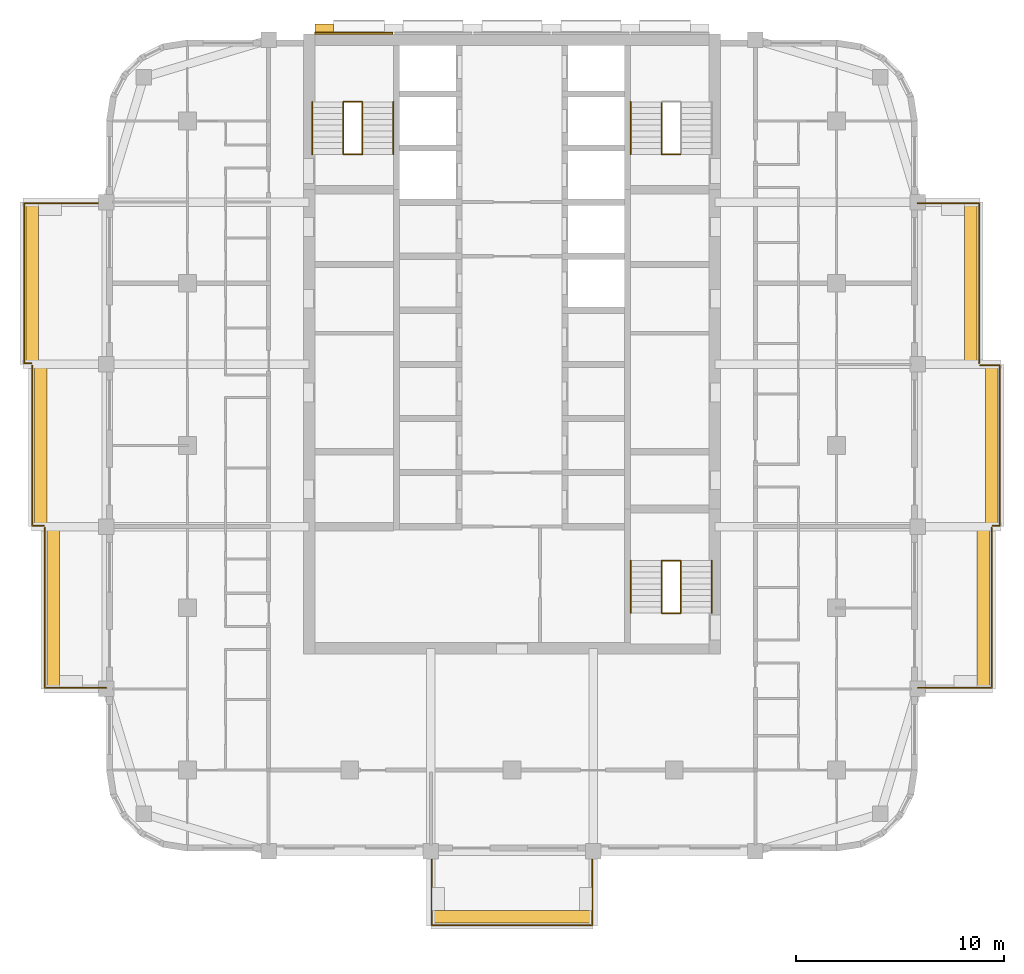
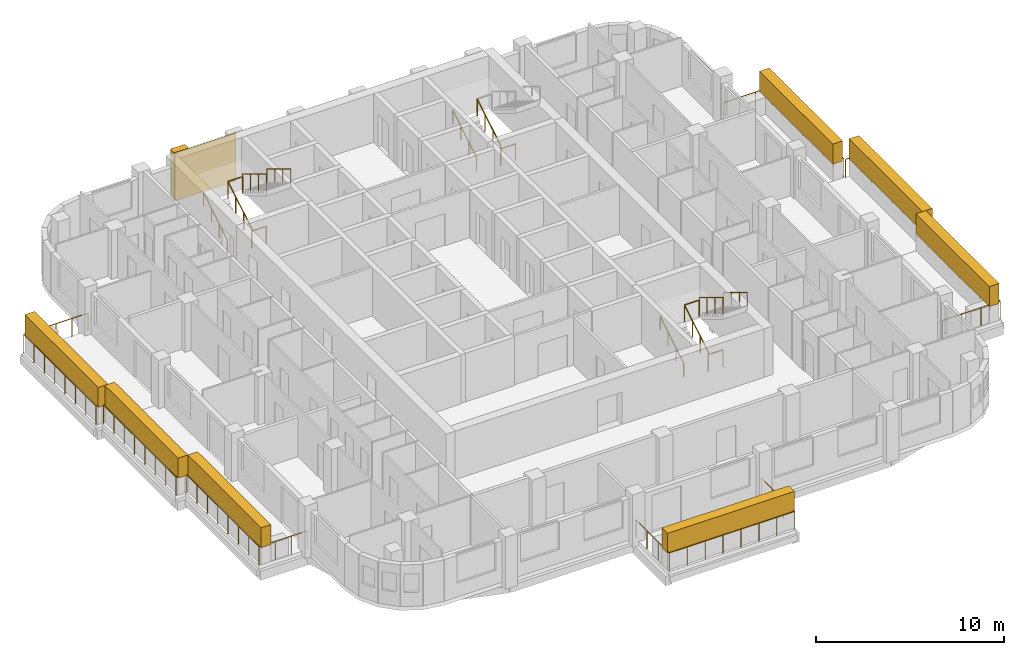
# One storey, part 12 of 13: 22 railings, 9 coverings, 3 elements without a shape of their own.
"""IFC4 building model written with IfcOpenShell, lengths in metres."""

from ifc_helpers import new_model, si_unit, direction, frame, origin, origin_2d, place, context, subcontext, project, spatial, rectangle, circle, extrude, material, layer, layer_set, type_object, element, aggregate, save


model = new_model("IFC4")

# Units and contexts
model_context = context("Model", 3, precision=1e-05, world=origin(), true_north=direction((0.0, 1.0)))
body_context = subcontext(model_context, "Body", "Model", "MODEL_VIEW")
ifc_project = project(units=[si_unit("LENGTHUNIT", "METRE"), si_unit("AREAUNIT", "SQUARE_METRE"), si_unit("VOLUMEUNIT", "CUBIC_METRE"), si_unit("PLANEANGLEUNIT", "RADIAN"), si_unit("MASSUNIT", "GRAM", prefix="KILO")], contexts=[model_context])

# Site, building, storey
site_placement = place(None, origin())
site = spatial("IfcSite", under=ifc_project, at=site_placement, CompositionType="ELEMENT")
building_placement = place(site_placement, origin())
building = spatial("IfcBuilding", under=site, at=building_placement, Name="Ludao Terraces", CompositionType="ELEMENT")
storey_placement = place(building_placement, frame((0.0, 0.0, 162.199951171875)))
storey = spatial("IfcBuildingStorey", under=building, at=storey_placement, Name="L44", CompositionType="ELEMENT", Elevation=162.199951171875)

# Railings
ifc_material_1 = material(Name="Stainless steel 304", Category="steel")
railing_type_1 = type_object("IfcRailingType", Name="ENV Balcony glass guard 1200", PredefinedType="GUARDRAIL", material=ifc_material_1)
railing_1_placement = place(storey_placement, frame((81.14990234375, 45.5, 0.0)))
element("IfcRailing", 1, at=railing_1_placement, inside=storey, type_object=railing_type_1, Name="Balcony guard L44 S1", PredefinedType="GUARDRAIL", context=body_context, shape_type="SweptSolid", body=[
    extrude(circle(Radius=0.02392578125, at=origin_2d()), frame((0.0, 0.0, 1.17578125), z_axis=(0.0, -1.0, 0.0), x_axis=(1.0, 0.0, 0.0)), (0.0, 0.0, 1.0), 3.550048828125),
    extrude(circle(Radius=0.02392578125, at=origin_2d()), frame((0.0, -3.550048828125, 1.17578125), z_axis=(1.0, 0.0, 0.0), x_axis=(0.0, 1.0, 0.0)), (0.0, 0.0, 1.0), 7.7001953125),
    extrude(circle(Radius=0.02392578125, at=origin_2d()), frame((7.7001953125, -3.550048828125, 1.17578125), z_axis=(0.0, 1.0, 0.0), x_axis=(-1.0, 0.0, 0.0)), (0.0, 0.0, 1.0), 3.550048828125),
    extrude(circle(Radius=0.02099609375, at=origin_2d()), origin(), (0.0, 0.0, 1.0), 1.15185546875),
    extrude(circle(Radius=0.02099609375, at=origin_2d()), frame((0.0, -1.183349609375, 0.0)), (0.0, 0.0, 1.0), 1.15185546875),
    extrude(circle(Radius=0.02099609375, at=origin_2d()), frame((0.0, -2.36669921875, 0.0)), (0.0, 0.0, 1.0), 1.15185546875),
    extrude(circle(Radius=0.02099609375, at=origin_2d()), frame((0.0, -3.550048828125, 0.0)), (0.0, 0.0, 1.0), 1.15185546875),
    extrude(circle(Radius=0.02099609375, at=origin_2d()), frame((1.10009765625, -3.550048828125, 0.0)), (0.0, 0.0, 1.0), 1.15185546875),
    extrude(circle(Radius=0.02099609375, at=origin_2d()), frame((2.199951171875, -3.550048828125, 0.0)), (0.0, 0.0, 1.0), 1.15185546875),
    extrude(circle(Radius=0.02099609375, at=origin_2d()), frame((3.300048828125, -3.550048828125, 0.0)), (0.0, 0.0, 1.0), 1.15185546875),
    extrude(circle(Radius=0.02099609375, at=origin_2d()), frame((4.400146484375, -3.550048828125, 0.0)), (0.0, 0.0, 1.0), 1.15185546875),
    extrude(circle(Radius=0.02099609375, at=origin_2d()), frame((5.500244140625, -3.550048828125, 0.0)), (0.0, 0.0, 1.0), 1.15185546875),
    extrude(circle(Radius=0.02099609375, at=origin_2d()), frame((6.60009765625, -3.550048828125, 0.0)), (0.0, 0.0, 1.0), 1.15185546875),
    extrude(circle(Radius=0.02099609375, at=origin_2d()), frame((7.7001953125, -3.550048828125, 0.0)), (0.0, 0.0, 1.0), 1.15185546875),
    extrude(circle(Radius=0.02099609375, at=origin_2d()), frame((7.7001953125, -2.36669921875, 0.0)), (0.0, 0.0, 1.0), 1.15185546875),
    extrude(circle(Radius=0.02099609375, at=origin_2d()), frame((7.7001953125, -1.183349609375, 0.0)), (0.0, 0.0, 1.0), 1.15185546875),
    extrude(circle(Radius=0.02099609375, at=origin_2d()), frame((7.7001953125, 0.0, 0.0)), (0.0, 0.0, 1.0), 1.15185546875),
])
railing_2_placement = place(storey_placement, frame((104.5, 53.35009765625, 0.0)))
element("IfcRailing", 2, at=railing_2_placement, inside=storey, type_object=railing_type_1, Name="Balcony guard L44 E1", PredefinedType="GUARDRAIL", context=body_context, shape_type="SweptSolid", body=[
    extrude(circle(Radius=0.02392578125, at=origin_2d()), frame((0.0, 0.0, 1.17578125), z_axis=(1.0, 0.0, 0.0), x_axis=(0.0, 1.0, 0.0)), (0.0, 0.0, 1.0), 3.550048828125),
    extrude(circle(Radius=0.02392578125, at=origin_2d()), frame((3.550048828125, 0.0, 1.17578125), z_axis=(0.0, 1.0, 0.0), x_axis=(-1.0, 0.0, 0.0)), (0.0, 0.0, 1.0), 7.699951171875),
    extrude(circle(Radius=0.02099609375, at=origin_2d()), origin(), (0.0, 0.0, 1.0), 1.15185546875),
    extrude(circle(Radius=0.02099609375, at=origin_2d()), frame((1.183349609375, 0.0, 0.0)), (0.0, 0.0, 1.0), 1.15185546875),
    extrude(circle(Radius=0.02099609375, at=origin_2d()), frame((2.36669921875, 0.0, 0.0)), (0.0, 0.0, 1.0), 1.15185546875),
    extrude(circle(Radius=0.02099609375, at=origin_2d()), frame((3.550048828125, 0.0, 0.0)), (0.0, 0.0, 1.0), 1.15185546875),
    extrude(circle(Radius=0.02099609375, at=origin_2d()), frame((3.550048828125, 1.10009765625, 0.0)), (0.0, 0.0, 1.0), 1.15185546875),
    extrude(circle(Radius=0.02099609375, at=origin_2d()), frame((3.550048828125, 2.199951171875, 0.0)), (0.0, 0.0, 1.0), 1.15185546875),
    extrude(circle(Radius=0.02099609375, at=origin_2d()), frame((3.550048828125, 3.300048828125, 0.0)), (0.0, 0.0, 1.0), 1.15185546875),
    extrude(circle(Radius=0.02099609375, at=origin_2d()), frame((3.550048828125, 4.39990234375, 0.0)), (0.0, 0.0, 1.0), 1.15185546875),
    extrude(circle(Radius=0.02099609375, at=origin_2d()), frame((3.550048828125, 5.5, 0.0)), (0.0, 0.0, 1.0), 1.15185546875),
    extrude(circle(Radius=0.02099609375, at=origin_2d()), frame((3.550048828125, 6.599853515625, 0.0)), (0.0, 0.0, 1.0), 1.15185546875),
    extrude(circle(Radius=0.02099609375, at=origin_2d()), frame((3.550048828125, 7.699951171875, 0.0)), (0.0, 0.0, 1.0), 1.15185546875),
])
railing_3_placement = place(storey_placement, frame((108.10009765625, 61.14990234375, 0.0)))
element("IfcRailing", 3, at=railing_3_placement, inside=storey, type_object=railing_type_1, Name="Balcony guard L44 E2", PredefinedType="GUARDRAIL", context=body_context, shape_type="SweptSolid", body=[
    extrude(circle(Radius=0.02392578125, at=origin_2d()), frame((0.0, 0.0, 1.17578125), z_axis=(1.0, 0.0, 0.0), x_axis=(0.0, 1.0, 0.0)), (0.0, 0.0, 1.0), 0.349853515625),
    extrude(circle(Radius=0.02392578125, at=origin_2d()), frame((0.349853515625, 0.0, 1.17578125), z_axis=(0.0, 1.0, 0.0), x_axis=(-1.0, 0.0, 0.0)), (0.0, 0.0, 1.0), 7.7001953125),
    extrude(circle(Radius=0.02392578125, at=origin_2d()), frame((0.349853515625, 7.7001953125, 1.17578125), z_axis=(-1.0, 0.0, 0.0), x_axis=(0.0, -1.0, 0.0)), (0.0, 0.0, 1.0), 0.949951171875),
    extrude(circle(Radius=0.02099609375, at=origin_2d()), origin(), (0.0, 0.0, 1.0), 1.15185546875),
    extrude(circle(Radius=0.02099609375, at=origin_2d()), frame((0.349853515625, 0.0, 0.0)), (0.0, 0.0, 1.0), 1.15185546875),
    extrude(circle(Radius=0.02099609375, at=origin_2d()), frame((0.349853515625, 1.10009765625, 0.0)), (0.0, 0.0, 1.0), 1.15185546875),
    extrude(circle(Radius=0.02099609375, at=origin_2d()), frame((0.349853515625, 2.199951171875, 0.0)), (0.0, 0.0, 1.0), 1.15185546875),
    extrude(circle(Radius=0.02099609375, at=origin_2d()), frame((0.349853515625, 3.300048828125, 0.0)), (0.0, 0.0, 1.0), 1.15185546875),
    extrude(circle(Radius=0.02099609375, at=origin_2d()), frame((0.349853515625, 4.400146484375, 0.0)), (0.0, 0.0, 1.0), 1.15185546875),
    extrude(circle(Radius=0.02099609375, at=origin_2d()), frame((0.349853515625, 5.500244140625, 0.0)), (0.0, 0.0, 1.0), 1.15185546875),
    extrude(circle(Radius=0.02099609375, at=origin_2d()), frame((0.349853515625, 6.60009765625, 0.0)), (0.0, 0.0, 1.0), 1.15185546875),
    extrude(circle(Radius=0.02099609375, at=origin_2d()), frame((0.349853515625, 7.7001953125, 0.0)), (0.0, 0.0, 1.0), 1.15185546875),
    extrude(circle(Radius=0.02099609375, at=origin_2d()), frame((-0.60009765625, 7.7001953125, 0.0)), (0.0, 0.0, 1.0), 1.15185546875),
])
railing_4_placement = place(storey_placement, frame((107.449951171875, 68.949951171875, 0.0)))
element("IfcRailing", 4, at=railing_4_placement, inside=storey, type_object=railing_type_1, Name="Balcony guard L44 E3", PredefinedType="GUARDRAIL", context=body_context, shape_type="SweptSolid", body=[
    extrude(circle(Radius=0.02392578125, at=origin_2d()), frame((0.0, 0.0, 1.17578125), z_axis=(0.0, 1.0, 0.0), x_axis=(-1.0, 0.0, 0.0)), (0.0, 0.0, 1.0), 7.699951171875),
    extrude(circle(Radius=0.02392578125, at=origin_2d()), frame((0.0, 7.699951171875, 1.17578125), z_axis=(-1.0, 0.0, 0.0), x_axis=(0.0, -1.0, 0.0)), (0.0, 0.0, 1.0), 2.949951171875),
    extrude(circle(Radius=0.02099609375, at=origin_2d()), origin(), (0.0, 0.0, 1.0), 1.15185546875),
    extrude(circle(Radius=0.02099609375, at=origin_2d()), frame((0.0, 1.10009765625, 0.0)), (0.0, 0.0, 1.0), 1.15185546875),
    extrude(circle(Radius=0.02099609375, at=origin_2d()), frame((0.0, 2.199951171875, 0.0)), (0.0, 0.0, 1.0), 1.15185546875),
    extrude(circle(Radius=0.02099609375, at=origin_2d()), frame((0.0, 3.300048828125, 0.0)), (0.0, 0.0, 1.0), 1.15185546875),
    extrude(circle(Radius=0.02099609375, at=origin_2d()), frame((0.0, 4.39990234375, 0.0)), (0.0, 0.0, 1.0), 1.15185546875),
    extrude(circle(Radius=0.02099609375, at=origin_2d()), frame((0.0, 5.5, 0.0)), (0.0, 0.0, 1.0), 1.15185546875),
    extrude(circle(Radius=0.02099609375, at=origin_2d()), frame((0.0, 6.599853515625, 0.0)), (0.0, 0.0, 1.0), 1.15185546875),
    extrude(circle(Radius=0.02099609375, at=origin_2d()), frame((0.0, 7.699951171875, 0.0)), (0.0, 0.0, 1.0), 1.15185546875),
    extrude(circle(Radius=0.02099609375, at=origin_2d()), frame((-0.9833984375, 7.699951171875, 0.0)), (0.0, 0.0, 1.0), 1.15185546875),
    extrude(circle(Radius=0.02099609375, at=origin_2d()), frame((-1.966552734375, 7.699951171875, 0.0)), (0.0, 0.0, 1.0), 1.15185546875),
    extrude(circle(Radius=0.02099609375, at=origin_2d()), frame((-2.949951171875, 7.699951171875, 0.0)), (0.0, 0.0, 1.0), 1.15185546875),
])
railing_5_placement = place(storey_placement, frame((65.5, 53.35009765625, 0.0)))
element("IfcRailing", 5, at=railing_5_placement, inside=storey, type_object=railing_type_1, Name="Balcony guard L44 W1", PredefinedType="GUARDRAIL", context=body_context, shape_type="SweptSolid", body=[
    extrude(circle(Radius=0.02392578125, at=origin_2d()), frame((0.0, 0.0, 1.17578125), z_axis=(-1.0, 0.0, 0.0), x_axis=(0.0, -1.0, 0.0)), (0.0, 0.0, 1.0), 2.949951171875),
    extrude(circle(Radius=0.02392578125, at=origin_2d()), frame((-2.949951171875, 0.0, 1.17578125), z_axis=(0.0, 1.0, 0.0), x_axis=(-1.0, 0.0, 0.0)), (0.0, 0.0, 1.0), 7.699951171875),
    extrude(circle(Radius=0.02099609375, at=origin_2d()), origin(), (0.0, 0.0, 1.0), 1.15185546875),
    extrude(circle(Radius=0.02099609375, at=origin_2d()), frame((-0.9833984375, 0.0, 0.0)), (0.0, 0.0, 1.0), 1.15185546875),
    extrude(circle(Radius=0.02099609375, at=origin_2d()), frame((-1.966552734375, 0.0, 0.0)), (0.0, 0.0, 1.0), 1.15185546875),
    extrude(circle(Radius=0.02099609375, at=origin_2d()), frame((-2.949951171875, 0.0, 0.0)), (0.0, 0.0, 1.0), 1.15185546875),
    extrude(circle(Radius=0.02099609375, at=origin_2d()), frame((-2.949951171875, 1.10009765625, 0.0)), (0.0, 0.0, 1.0), 1.15185546875),
    extrude(circle(Radius=0.02099609375, at=origin_2d()), frame((-2.949951171875, 2.199951171875, 0.0)), (0.0, 0.0, 1.0), 1.15185546875),
    extrude(circle(Radius=0.02099609375, at=origin_2d()), frame((-2.949951171875, 3.300048828125, 0.0)), (0.0, 0.0, 1.0), 1.15185546875),
    extrude(circle(Radius=0.02099609375, at=origin_2d()), frame((-2.949951171875, 4.39990234375, 0.0)), (0.0, 0.0, 1.0), 1.15185546875),
    extrude(circle(Radius=0.02099609375, at=origin_2d()), frame((-2.949951171875, 5.5, 0.0)), (0.0, 0.0, 1.0), 1.15185546875),
    extrude(circle(Radius=0.02099609375, at=origin_2d()), frame((-2.949951171875, 6.599853515625, 0.0)), (0.0, 0.0, 1.0), 1.15185546875),
    extrude(circle(Radius=0.02099609375, at=origin_2d()), frame((-2.949951171875, 7.699951171875, 0.0)), (0.0, 0.0, 1.0), 1.15185546875),
])
railing_6_placement = place(storey_placement, frame((62.5, 61.14990234375, 0.0)))
element("IfcRailing", 6, at=railing_6_placement, inside=storey, type_object=railing_type_1, Name="Balcony guard L44 W2", PredefinedType="GUARDRAIL", context=body_context, shape_type="SweptSolid", body=[
    extrude(circle(Radius=0.02392578125, at=origin_2d()), frame((0.0, 0.0, 1.17578125), z_axis=(-1.0, 0.0, 0.0), x_axis=(0.0, -1.0, 0.0)), (0.0, 0.0, 1.0), 0.550048828125),
    extrude(circle(Radius=0.02392578125, at=origin_2d()), frame((-0.550048828125, 0.0, 1.17578125), z_axis=(0.0, 1.0, 0.0), x_axis=(-1.0, 0.0, 0.0)), (0.0, 0.0, 1.0), 7.7001953125),
    extrude(circle(Radius=0.02099609375, at=origin_2d()), origin(), (0.0, 0.0, 1.0), 1.15185546875),
    extrude(circle(Radius=0.02099609375, at=origin_2d()), frame((-0.550048828125, 0.0, 0.0)), (0.0, 0.0, 1.0), 1.15185546875),
    extrude(circle(Radius=0.02099609375, at=origin_2d()), frame((-0.550048828125, 1.10009765625, 0.0)), (0.0, 0.0, 1.0), 1.15185546875),
    extrude(circle(Radius=0.02099609375, at=origin_2d()), frame((-0.550048828125, 2.199951171875, 0.0)), (0.0, 0.0, 1.0), 1.15185546875),
    extrude(circle(Radius=0.02099609375, at=origin_2d()), frame((-0.550048828125, 3.300048828125, 0.0)), (0.0, 0.0, 1.0), 1.15185546875),
    extrude(circle(Radius=0.02099609375, at=origin_2d()), frame((-0.550048828125, 4.400146484375, 0.0)), (0.0, 0.0, 1.0), 1.15185546875),
    extrude(circle(Radius=0.02099609375, at=origin_2d()), frame((-0.550048828125, 5.500244140625, 0.0)), (0.0, 0.0, 1.0), 1.15185546875),
    extrude(circle(Radius=0.02099609375, at=origin_2d()), frame((-0.550048828125, 6.60009765625, 0.0)), (0.0, 0.0, 1.0), 1.15185546875),
    extrude(circle(Radius=0.02099609375, at=origin_2d()), frame((-0.550048828125, 7.7001953125, 0.0)), (0.0, 0.0, 1.0), 1.15185546875),
])
railing_7_placement = place(storey_placement, frame((61.89990234375, 68.949951171875, 0.0)))
element("IfcRailing", 7, at=railing_7_placement, inside=storey, type_object=railing_type_1, Name="Balcony guard L44 W3", PredefinedType="GUARDRAIL", context=body_context, shape_type="SweptSolid", body=[
    extrude(circle(Radius=0.02392578125, at=origin_2d()), frame((0.0, 0.0, 1.17578125), z_axis=(-1.0, 0.0, 0.0), x_axis=(0.0, -1.0, 0.0)), (0.0, 0.0, 1.0), 0.349853515625),
    extrude(circle(Radius=0.02392578125, at=origin_2d()), frame((-0.349853515625, 0.0, 1.17578125), z_axis=(0.0, 1.0, 0.0), x_axis=(-1.0, 0.0, 0.0)), (0.0, 0.0, 1.0), 7.699951171875),
    extrude(circle(Radius=0.02392578125, at=origin_2d()), frame((-0.349853515625, 7.699951171875, 1.17578125), z_axis=(1.0, 0.0, 0.0), x_axis=(0.0, 1.0, 0.0)), (0.0, 0.0, 1.0), 3.949951171875),
    extrude(circle(Radius=0.02099609375, at=origin_2d()), origin(), (0.0, 0.0, 1.0), 1.15185546875),
    extrude(circle(Radius=0.02099609375, at=origin_2d()), frame((-0.349853515625, 0.0, 0.0)), (0.0, 0.0, 1.0), 1.15185546875),
    extrude(circle(Radius=0.02099609375, at=origin_2d()), frame((-0.349853515625, 1.10009765625, 0.0)), (0.0, 0.0, 1.0), 1.15185546875),
    extrude(circle(Radius=0.02099609375, at=origin_2d()), frame((-0.349853515625, 2.199951171875, 0.0)), (0.0, 0.0, 1.0), 1.15185546875),
    extrude(circle(Radius=0.02099609375, at=origin_2d()), frame((-0.349853515625, 3.300048828125, 0.0)), (0.0, 0.0, 1.0), 1.15185546875),
    extrude(circle(Radius=0.02099609375, at=origin_2d()), frame((-0.349853515625, 4.39990234375, 0.0)), (0.0, 0.0, 1.0), 1.15185546875),
    extrude(circle(Radius=0.02099609375, at=origin_2d()), frame((-0.349853515625, 5.5, 0.0)), (0.0, 0.0, 1.0), 1.15185546875),
    extrude(circle(Radius=0.02099609375, at=origin_2d()), frame((-0.349853515625, 6.599853515625, 0.0)), (0.0, 0.0, 1.0), 1.15185546875),
    extrude(circle(Radius=0.02099609375, at=origin_2d()), frame((-0.349853515625, 7.699951171875, 0.0)), (0.0, 0.0, 1.0), 1.15185546875),
    extrude(circle(Radius=0.02099609375, at=origin_2d()), frame((0.6376953125, 7.699951171875, 0.0)), (0.0, 0.0, 1.0), 1.15185546875),
    extrude(circle(Radius=0.02099609375, at=origin_2d()), frame((1.625, 7.699951171875, 0.0)), (0.0, 0.0, 1.0), 1.15185546875),
    extrude(circle(Radius=0.02099609375, at=origin_2d()), frame((2.612548828125, 7.699951171875, 0.0)), (0.0, 0.0, 1.0), 1.15185546875),
    extrude(circle(Radius=0.02099609375, at=origin_2d()), frame((3.60009765625, 7.699951171875, 0.0)), (0.0, 0.0, 1.0), 1.15185546875),
])

# Coverings
ifc_material_2 = material(Name="Granite cladding", Category="masonry")
ifc_layer_1 = layer(ifc_material_2, 0.39990234375)
ifc_layer_set_1 = layer_set([ifc_layer_1], Name="ENV Core pilaster stone 400")
covering_type_1 = type_object("IfcCoveringType", Name="ENV Core pilaster stone 400", PredefinedType="CLADDING", material=ifc_layer_set_1)
covering_1_placement = place(storey_placement, frame((75.97509765625, 85.054931640625, 0.0), z_axis=(0.0, 0.0, 1.0), x_axis=(1.0, 0.0, 0.0)))
element("IfcCovering", 8, at=covering_1_placement, inside=storey, type_object=covering_type_1, Name="CC-L44-PIL1", PredefinedType="CLADDING", context=body_context, shape_type="SweptSolid", body=[
    extrude(rectangle(XDim=0.89990234375, YDim=0.39990234375, at=origin_2d()), origin(), (0.0, 0.0, 1.0), 3.10009765625),
])
ifc_layer_2 = layer(ifc_material_2, 0.080078125)
ifc_layer_set_2 = layer_set([ifc_layer_2], Name="ENV Core stone cladding panel 80")
covering_type_2 = type_object("IfcCoveringType", Name="ENV Core stone cladding panel 80", PredefinedType="CLADDING", material=ifc_layer_set_2)
covering_2_placement = place(storey_placement, frame((77.39501953125, 84.81494140625, 0.0), z_axis=(0.0, 0.0, 1.0), x_axis=(1.0, 0.0, 0.0)))
element("IfcCovering", 9, at=covering_2_placement, inside=storey, type_object=covering_type_2, Name="CC-L44-CORE1", PredefinedType="CLADDING", context=body_context, shape_type="SweptSolid", body=[
    extrude(rectangle(XDim=3.739990234375, YDim=0.080078125, at=origin_2d()), origin(), (0.0, 0.0, 1.0), 3.10009765625),
])
ifc_material_3 = material(Name="Planting")
ifc_layer_3 = layer(ifc_material_3, 0.60009765625)
ifc_layer_set_3 = layer_set([ifc_layer_3], Name="ENV Planting hedge 600x1300")
covering_type_3 = type_object("IfcCoveringType", Name="ENV Planting hedge 600x1300", PredefinedType="USERDEFINED", material=ifc_layer_set_3)
covering_3_placement = place(storey_placement, frame((85.0, 42.35009765625, 1.10009765625), z_axis=(0.0, 0.0, 1.0), x_axis=(1.0, 0.0, 0.0)))
element("IfcCovering", 10, at=covering_3_placement, inside=storey, type_object=covering_type_3, Name="Planting hedge L44-S1", ObjectType="PLANTING", PredefinedType="USERDEFINED", context=body_context, shape_type="SweptSolid", body=[
    extrude(rectangle(XDim=7.800048828125, YDim=0.60009765625, at=origin_2d()), origin(), (0.0, 0.0, 1.0), 1.300048828125),
])
for number, where, z_axis, x_axis, name in (
    (11, (107.64990234375, 57.199951171875, 1.10009765625), (0.0, 0.0, 1.0), (1.0, 0.0, 0.0), "Planting hedge L44-E1"),
    (12, (108.050048828125, 65.0, 1.10009765625), (0.0, 0.0, 1.0), (1.0, 0.0, 0.0), "Planting hedge L44-E2"),
    (13, (107.050048828125, 72.800048828125, 1.10009765625), (0.0, 0.0, 1.0), (1.0, 0.0, 0.0), "Planting hedge L44-E3"),
    (14, (62.949951171875, 57.199951171875, 1.10009765625), (0.0, 0.0, 1.0), (1.0, 0.0, 0.0), "Planting hedge L44-W1"),
    (15, (62.35009765625, 65.0, 1.10009765625), (0.0, 0.0, 1.0), (1.0, 0.0, 0.0), "Planting hedge L44-W2"),
    (16, (61.949951171875, 72.800048828125, 1.10009765625), (0.0, 0.0, 1.0), (1.0, 0.0, 0.0), "Planting hedge L44-W3"),
):
    element("IfcCovering", number, at=place(storey_placement, frame(where, z_axis=z_axis, x_axis=x_axis)), inside=storey, type_object=covering_type_3, Name=name, ObjectType="PLANTING", PredefinedType="USERDEFINED", context=body_context, shape_type="SweptSolid", body=[
        extrude(rectangle(XDim=0.60009765625, YDim=7.800048828125, at=origin_2d()), origin(), (0.0, 0.0, 1.0), 1.300048828125),
    ])

# Stair, railings
ifc_material_4 = material(Name="Concrete C40", Category="concrete")
stair_type = type_object("IfcStairType", Name="INT Stair", PredefinedType="HALF_TURN_STAIR", material=ifc_material_4)
stair_1_placement = place(storey_placement, origin())
stair_1 = element("IfcStair", 17, at=stair_1_placement, inside=storey, type_object=stair_type, Name="EXIT STAIR 1", PredefinedType="HALF_TURN_STAIR")
railing_type_2 = type_object("IfcRailingType", Name="INT Stair guard 1100", PredefinedType="GUARDRAIL", material=ifc_material_1)
railing_8_placement = place(storey_placement, frame((76.89990234375, 79.0, 0.170166015625)))
railing_8 = element("IfcRailing", 18, at=railing_8_placement, type_object=railing_type_2, Name="ST-L44-S1-R1G", PredefinedType="GUARDRAIL", context=body_context, shape_type="SweptSolid", body=[
    extrude(circle(Radius=0.02392578125, at=origin_2d()), frame((0.0, 0.0, 1.076171875), z_axis=(0.0, 0.854821627497, 0.518921945155), x_axis=(-1.0, 0.0, 0.0)), (0.0, 0.0, 1.0), 2.947998046875),
    extrude(circle(Radius=0.02099609375, at=origin_2d()), origin(), (0.0, 0.0, 1.0), 1.052001953125),
    extrude(circle(Radius=0.02099609375, at=origin_2d()), frame((0.0, 0.840087890625, 0.510009765625)), (0.0, 0.0, 1.0), 1.052001953125),
    extrude(circle(Radius=0.02099609375, at=origin_2d()), frame((0.0, 1.679931640625, 1.019775390625)), (0.0, 0.0, 1.0), 1.052001953125),
    extrude(circle(Radius=0.02099609375, at=origin_2d()), frame((0.0, 2.52001953125, 1.52978515625)), (0.0, 0.0, 1.0), 1.052001953125),
])
railing_9_placement = place(storey_placement, frame((77.800048828125, 81.52001953125, 1.8701171875)))
railing_9 = element("IfcRailing", 19, at=railing_9_placement, type_object=railing_type_2, Name="ST-L44-S1-R2G", PredefinedType="GUARDRAIL", context=body_context, shape_type="SweptSolid", body=[
    extrude(circle(Radius=0.02392578125, at=origin_2d()), frame((0.0, 0.0, 1.076171875), z_axis=(0.0, -0.85478489116, 0.518982456201), x_axis=(1.0, 0.0, 0.0)), (0.0, 0.0, 1.0), 2.9482421875),
    extrude(circle(Radius=0.02099609375, at=origin_2d()), origin(), (0.0, 0.0, 1.0), 1.052001953125),
    extrude(circle(Radius=0.02099609375, at=origin_2d()), frame((0.0, -0.840087890625, 0.510009765625)), (0.0, 0.0, 1.0), 1.052001953125),
    extrude(circle(Radius=0.02099609375, at=origin_2d()), frame((0.0, -1.679931640625, 1.02001953125)), (0.0, 0.0, 1.0), 1.052001953125),
    extrude(circle(Radius=0.02099609375, at=origin_2d()), frame((0.0, -2.52001953125, 1.530029296875)), (0.0, 0.0, 1.0), 1.052001953125),
])
railing_10_placement = place(storey_placement, frame((76.89990234375, 81.52001953125, 1.699951171875)))
railing_10 = element("IfcRailing", 20, at=railing_10_placement, type_object=railing_type_2, Name="ST-L44-S1-E1G", PredefinedType="GUARDRAIL", context=body_context, shape_type="SweptSolid", body=[
    extrude(circle(Radius=0.02392578125, at=origin_2d()), frame((0.0, 0.0, 1.076171875), z_axis=(1.0, 0.0, 0.0), x_axis=(0.0, 1.0, 0.0)), (0.0, 0.0, 1.0), 0.900146484375),
    extrude(circle(Radius=0.02099609375, at=origin_2d()), origin(), (0.0, 0.0, 1.0), 1.052001953125),
    extrude(circle(Radius=0.02099609375, at=origin_2d()), frame((0.900146484375, 0.0, 0.0)), (0.0, 0.0, 1.0), 1.052001953125),
])
railing_11_placement = place(storey_placement, frame((76.89990234375, 79.0, 0.0)))
railing_11 = element("IfcRailing", 21, at=railing_11_placement, type_object=railing_type_2, Name="ST-L44-S1-E2G", PredefinedType="GUARDRAIL", context=body_context, shape_type="SweptSolid", body=[
    extrude(circle(Radius=0.02392578125, at=origin_2d()), frame((0.0, 0.0, 1.076171875), z_axis=(1.0, 0.0, 0.0), x_axis=(0.0, 1.0, 0.0)), (0.0, 0.0, 1.0), 0.900146484375),
    extrude(circle(Radius=0.02099609375, at=origin_2d()), origin(), (0.0, 0.0, 1.0), 1.052001953125),
    extrude(circle(Radius=0.02099609375, at=origin_2d()), frame((0.900146484375, 0.0, 0.0)), (0.0, 0.0, 1.0), 1.052001953125),
])

stair_2_placement = place(storey_placement, origin())
stair_2 = element("IfcStair", 22, at=stair_2_placement, inside=storey, type_object=stair_type, Name="EXIT STAIR 2", PredefinedType="HALF_TURN_STAIR")
railing_12_placement = place(storey_placement, frame((92.199951171875, 79.0, 0.170166015625)))
railing_12 = element("IfcRailing", 23, at=railing_12_placement, type_object=railing_type_2, Name="ST-L44-S2-R1G", PredefinedType="GUARDRAIL", context=body_context, shape_type="SweptSolid", body=[
    extrude(circle(Radius=0.02392578125, at=origin_2d()), frame((0.0, 0.0, 1.076171875), z_axis=(0.0, 0.854821627497, 0.518921945155), x_axis=(-1.0, 0.0, 0.0)), (0.0, 0.0, 1.0), 2.947998046875),
    extrude(circle(Radius=0.02099609375, at=origin_2d()), origin(), (0.0, 0.0, 1.0), 1.052001953125),
    extrude(circle(Radius=0.02099609375, at=origin_2d()), frame((0.0, 0.840087890625, 0.510009765625)), (0.0, 0.0, 1.0), 1.052001953125),
    extrude(circle(Radius=0.02099609375, at=origin_2d()), frame((0.0, 1.679931640625, 1.019775390625)), (0.0, 0.0, 1.0), 1.052001953125),
    extrude(circle(Radius=0.02099609375, at=origin_2d()), frame((0.0, 2.52001953125, 1.52978515625)), (0.0, 0.0, 1.0), 1.052001953125),
])
railing_13_placement = place(storey_placement, frame((92.199951171875, 79.0, 0.0)))
railing_13 = element("IfcRailing", 24, at=railing_13_placement, type_object=railing_type_2, Name="ST-L44-S2-E2G", PredefinedType="GUARDRAIL", context=body_context, shape_type="SweptSolid", body=[
    extrude(circle(Radius=0.02392578125, at=origin_2d()), frame((0.0, 0.0, 1.076171875), z_axis=(1.0, 0.0, 0.0), x_axis=(0.0, 1.0, 0.0)), (0.0, 0.0, 1.0), 0.900146484375),
    extrude(circle(Radius=0.02099609375, at=origin_2d()), origin(), (0.0, 0.0, 1.0), 1.052001953125),
    extrude(circle(Radius=0.02099609375, at=origin_2d()), frame((0.900146484375, 0.0, 0.0)), (0.0, 0.0, 1.0), 1.052001953125),
])

stair_3_placement = place(storey_placement, origin())
stair_3 = element("IfcStair", 25, at=stair_3_placement, inside=storey, type_object=stair_type, Name="EXIT STAIR 3", PredefinedType="HALF_TURN_STAIR")
railing_14_placement = place(storey_placement, frame((92.199951171875, 56.949951171875, 0.170166015625)))
railing_14 = element("IfcRailing", 26, at=railing_14_placement, type_object=railing_type_2, Name="ST-L44-S3-R1G", PredefinedType="GUARDRAIL", context=body_context, shape_type="SweptSolid", body=[
    extrude(circle(Radius=0.02392578125, at=origin_2d()), frame((0.0, 0.0, 1.076171875), z_axis=(0.0, 0.854821627497, 0.518921945155), x_axis=(-1.0, 0.0, 0.0)), (0.0, 0.0, 1.0), 2.947998046875),
    extrude(circle(Radius=0.02099609375, at=origin_2d()), origin(), (0.0, 0.0, 1.0), 1.052001953125),
    extrude(circle(Radius=0.02099609375, at=origin_2d()), frame((0.0, 0.840087890625, 0.510009765625)), (0.0, 0.0, 1.0), 1.052001953125),
    extrude(circle(Radius=0.02099609375, at=origin_2d()), frame((0.0, 1.679931640625, 1.019775390625)), (0.0, 0.0, 1.0), 1.052001953125),
    extrude(circle(Radius=0.02099609375, at=origin_2d()), frame((0.0, 2.52001953125, 1.52978515625)), (0.0, 0.0, 1.0), 1.052001953125),
])
railing_15_placement = place(storey_placement, frame((93.10009765625, 59.469970703125, 1.8701171875)))
railing_15 = element("IfcRailing", 27, at=railing_15_placement, type_object=railing_type_2, Name="ST-L44-S3-R2G", PredefinedType="GUARDRAIL", context=body_context, shape_type="SweptSolid", body=[
    extrude(circle(Radius=0.02392578125, at=origin_2d()), frame((0.0, 0.0, 1.076171875), z_axis=(0.0, -0.85478489116, 0.518982456201), x_axis=(1.0, 0.0, 0.0)), (0.0, 0.0, 1.0), 2.9482421875),
    extrude(circle(Radius=0.02099609375, at=origin_2d()), origin(), (0.0, 0.0, 1.0), 1.052001953125),
    extrude(circle(Radius=0.02099609375, at=origin_2d()), frame((0.0, -0.840087890625, 0.510009765625)), (0.0, 0.0, 1.0), 1.052001953125),
    extrude(circle(Radius=0.02099609375, at=origin_2d()), frame((0.0, -1.679931640625, 1.02001953125)), (0.0, 0.0, 1.0), 1.052001953125),
    extrude(circle(Radius=0.02099609375, at=origin_2d()), frame((0.0, -2.52001953125, 1.530029296875)), (0.0, 0.0, 1.0), 1.052001953125),
])
railing_16_placement = place(storey_placement, frame((92.199951171875, 59.469970703125, 1.699951171875)))
railing_16 = element("IfcRailing", 28, at=railing_16_placement, type_object=railing_type_2, Name="ST-L44-S3-E1G", PredefinedType="GUARDRAIL", context=body_context, shape_type="SweptSolid", body=[
    extrude(circle(Radius=0.02392578125, at=origin_2d()), frame((0.0, 0.0, 1.076171875), z_axis=(1.0, 0.0, 0.0), x_axis=(0.0, 1.0, 0.0)), (0.0, 0.0, 1.0), 0.900146484375),
    extrude(circle(Radius=0.02099609375, at=origin_2d()), origin(), (0.0, 0.0, 1.0), 1.052001953125),
    extrude(circle(Radius=0.02099609375, at=origin_2d()), frame((0.900146484375, 0.0, 0.0)), (0.0, 0.0, 1.0), 1.052001953125),
])
railing_17_placement = place(storey_placement, frame((92.199951171875, 56.949951171875, 0.0)))
railing_17 = element("IfcRailing", 29, at=railing_17_placement, type_object=railing_type_2, Name="ST-L44-S3-E2G", PredefinedType="GUARDRAIL", context=body_context, shape_type="SweptSolid", body=[
    extrude(circle(Radius=0.02392578125, at=origin_2d()), frame((0.0, 0.0, 1.076171875), z_axis=(1.0, 0.0, 0.0), x_axis=(0.0, 1.0, 0.0)), (0.0, 0.0, 1.0), 0.900146484375),
    extrude(circle(Radius=0.02099609375, at=origin_2d()), origin(), (0.0, 0.0, 1.0), 1.052001953125),
    extrude(circle(Radius=0.02099609375, at=origin_2d()), frame((0.900146484375, 0.0, 0.0)), (0.0, 0.0, 1.0), 1.052001953125),
])

# Railing
railing_type_3 = type_object("IfcRailingType", Name="INT Stair handrail 900", PredefinedType="HANDRAIL", material=ifc_material_1)
railing_18_placement = place(storey_placement, frame((75.39990234375, 79.0, 0.170166015625)))
railing_18 = element("IfcRailing", 30, at=railing_18_placement, type_object=railing_type_3, Name="ST-L44-S1-R1H", PredefinedType="HANDRAIL", context=body_context, shape_type="SweptSolid", body=[
    extrude(circle(Radius=0.02392578125, at=origin_2d()), frame((0.0, 0.0, 0.8759765625), z_axis=(0.0, 0.854821627497, 0.518921945155), x_axis=(-1.0, 0.0, 0.0)), (0.0, 0.0, 1.0), 2.947998046875),
    extrude(circle(Radius=0.02099609375, at=origin_2d()), origin(), (0.0, 0.0, 1.0), 0.851806640625),
    extrude(circle(Radius=0.02099609375, at=origin_2d()), frame((0.0, 0.840087890625, 0.510009765625)), (0.0, 0.0, 1.0), 0.851806640625),
    extrude(circle(Radius=0.02099609375, at=origin_2d()), frame((0.0, 1.679931640625, 1.019775390625)), (0.0, 0.0, 1.0), 0.851806640625),
    extrude(circle(Radius=0.02099609375, at=origin_2d()), frame((0.0, 2.52001953125, 1.52978515625)), (0.0, 0.0, 1.0), 0.851806640625),
])

railing_19_placement = place(storey_placement, frame((79.300048828125, 81.52001953125, 1.8701171875)))
railing_19 = element("IfcRailing", 31, at=railing_19_placement, type_object=railing_type_3, Name="ST-L44-S1-R2H", PredefinedType="HANDRAIL", context=body_context, shape_type="SweptSolid", body=[
    extrude(circle(Radius=0.02392578125, at=origin_2d()), frame((0.0, 0.0, 0.8759765625), z_axis=(0.0, -0.85478489116, 0.518982456201), x_axis=(1.0, 0.0, 0.0)), (0.0, 0.0, 1.0), 2.9482421875),
    extrude(circle(Radius=0.02099609375, at=origin_2d()), origin(), (0.0, 0.0, 1.0), 0.851806640625),
    extrude(circle(Radius=0.02099609375, at=origin_2d()), frame((0.0, -0.840087890625, 0.510009765625)), (0.0, 0.0, 1.0), 0.851806640625),
    extrude(circle(Radius=0.02099609375, at=origin_2d()), frame((0.0, -1.679931640625, 1.02001953125)), (0.0, 0.0, 1.0), 0.851806640625),
    extrude(circle(Radius=0.02099609375, at=origin_2d()), frame((0.0, -2.52001953125, 1.530029296875)), (0.0, 0.0, 1.0), 0.851806640625),
])

aggregate(stair_1, [railing_8, railing_18, railing_9, railing_19, railing_10, railing_11])

railing_20_placement = place(storey_placement, frame((90.699951171875, 79.0, 0.170166015625)))
railing_20 = element("IfcRailing", 32, at=railing_20_placement, type_object=railing_type_3, Name="ST-L44-S2-R1H", PredefinedType="HANDRAIL", context=body_context, shape_type="SweptSolid", body=[
    extrude(circle(Radius=0.02392578125, at=origin_2d()), frame((0.0, 0.0, 0.8759765625), z_axis=(0.0, 0.854821627497, 0.518921945155), x_axis=(-1.0, 0.0, 0.0)), (0.0, 0.0, 1.0), 2.947998046875),
    extrude(circle(Radius=0.02099609375, at=origin_2d()), origin(), (0.0, 0.0, 1.0), 0.851806640625),
    extrude(circle(Radius=0.02099609375, at=origin_2d()), frame((0.0, 0.840087890625, 0.510009765625)), (0.0, 0.0, 1.0), 0.851806640625),
    extrude(circle(Radius=0.02099609375, at=origin_2d()), frame((0.0, 1.679931640625, 1.019775390625)), (0.0, 0.0, 1.0), 0.851806640625),
    extrude(circle(Radius=0.02099609375, at=origin_2d()), frame((0.0, 2.52001953125, 1.52978515625)), (0.0, 0.0, 1.0), 0.851806640625),
])

aggregate(stair_2, [railing_12, railing_20, railing_13])

railing_21_placement = place(storey_placement, frame((90.699951171875, 56.949951171875, 0.170166015625)))
railing_21 = element("IfcRailing", 33, at=railing_21_placement, type_object=railing_type_3, Name="ST-L44-S3-R1H", PredefinedType="HANDRAIL", context=body_context, shape_type="SweptSolid", body=[
    extrude(circle(Radius=0.02392578125, at=origin_2d()), frame((0.0, 0.0, 0.8759765625), z_axis=(0.0, 0.854821627497, 0.518921945155), x_axis=(-1.0, 0.0, 0.0)), (0.0, 0.0, 1.0), 2.947998046875),
    extrude(circle(Radius=0.02099609375, at=origin_2d()), origin(), (0.0, 0.0, 1.0), 0.851806640625),
    extrude(circle(Radius=0.02099609375, at=origin_2d()), frame((0.0, 0.840087890625, 0.510009765625)), (0.0, 0.0, 1.0), 0.851806640625),
    extrude(circle(Radius=0.02099609375, at=origin_2d()), frame((0.0, 1.679931640625, 1.019775390625)), (0.0, 0.0, 1.0), 0.851806640625),
    extrude(circle(Radius=0.02099609375, at=origin_2d()), frame((0.0, 2.52001953125, 1.52978515625)), (0.0, 0.0, 1.0), 0.851806640625),
])

railing_22_placement = place(storey_placement, frame((94.60009765625, 59.469970703125, 1.8701171875)))
railing_22 = element("IfcRailing", 34, at=railing_22_placement, type_object=railing_type_3, Name="ST-L44-S3-R2H", PredefinedType="HANDRAIL", context=body_context, shape_type="SweptSolid", body=[
    extrude(circle(Radius=0.02392578125, at=origin_2d()), frame((0.0, 0.0, 0.8759765625), z_axis=(0.0, -0.85478489116, 0.518982456201), x_axis=(1.0, 0.0, 0.0)), (0.0, 0.0, 1.0), 2.9482421875),
    extrude(circle(Radius=0.02099609375, at=origin_2d()), origin(), (0.0, 0.0, 1.0), 0.851806640625),
    extrude(circle(Radius=0.02099609375, at=origin_2d()), frame((0.0, -0.840087890625, 0.510009765625)), (0.0, 0.0, 1.0), 0.851806640625),
    extrude(circle(Radius=0.02099609375, at=origin_2d()), frame((0.0, -1.679931640625, 1.02001953125)), (0.0, 0.0, 1.0), 0.851806640625),
    extrude(circle(Radius=0.02099609375, at=origin_2d()), frame((0.0, -2.52001953125, 1.530029296875)), (0.0, 0.0, 1.0), 0.851806640625),
])

aggregate(stair_3, [railing_14, railing_21, railing_15, railing_22, railing_16, railing_17])

save(model, "model.ifc")
